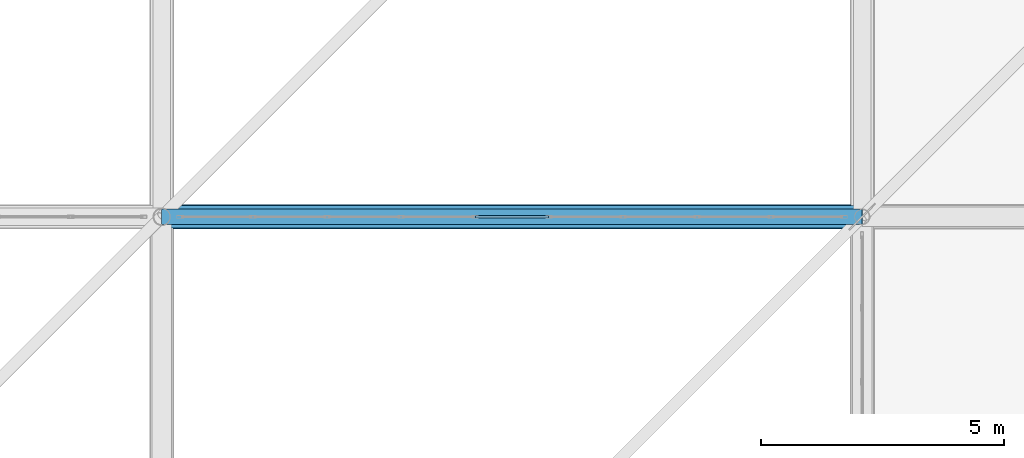
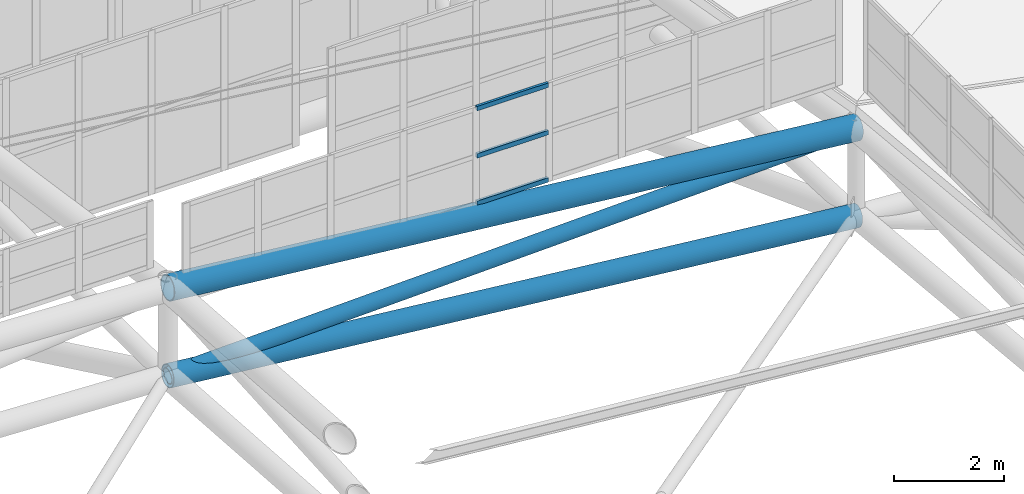
# One storey, part 312 of 397: 4 members, 2 beams, 1 element without a shape of its own.
"""IFC4 building model written with IfcOpenShell, lengths in metres."""

from ifc_helpers import new_model, si_unit, direction, frame, origin, origin_2d, place, context, subcontext, project, spatial, hollow_rectangle, hollow_circle, extrude, material, material_profile, profile_set, type_object, element, aggregate, save


model = new_model("IFC4")

# Units and contexts
model_context = context("Model", 3, precision=1e-05, world=origin(), true_north=direction((0.0, 1.0)))
body_context = subcontext(model_context, "Body", "Model", "MODEL_VIEW")
ifc_project = project(units=[si_unit("LENGTHUNIT", "METRE"), si_unit("AREAUNIT", "SQUARE_METRE"), si_unit("VOLUMEUNIT", "CUBIC_METRE"), si_unit("PLANEANGLEUNIT", "RADIAN"), si_unit("MASSUNIT", "GRAM", prefix="KILO")], contexts=[model_context])

# Site, building, storey
site_placement = place(None, origin())
site = spatial("IfcSite", under=ifc_project, at=site_placement, CompositionType="ELEMENT")
building_placement = place(site_placement, origin())
building = spatial("IfcBuilding", under=site, at=building_placement, Name="Qandorah Velis Arena", CompositionType="ELEMENT")
storey_placement = place(building_placement, frame((0.0, 0.0, 27.5)))
storey = spatial("IfcBuildingStorey", under=building, at=storey_placement, Name="RF", CompositionType="ELEMENT", Elevation=27.5)

# Curtain wall, members
ifc_material_1 = material(Name="Solar-control low-E double glazing", Category="glass")
curtain_wall_type = type_object("IfcCurtainWallType", Name="ARC-CW-SYS01", PredefinedType="USERDEFINED", material=ifc_material_1)
curtain_wall_placement = place(storey_placement, origin())
curtain_wall = element("IfcCurtainWall", 1, at=curtain_wall_placement, inside=storey, type_object=curtain_wall_type, Name="Unitised curtain wall OCULUS-4-5", ObjectType="UNITISED CURTAIN WALL", PredefinedType="USERDEFINED")
ifc_material_2 = material(Name="Champagne-bronze anodized aluminium 6063-T6", Category="aluminium")
ifc_material_profile_1 = material_profile(ifc_material_2, hollow_rectangle(XDim=0.054931640625, YDim=0.10009765625, WallThickness=0.0029296875, at=origin_2d()), Name="ALU TRANSOM 55x100")
ifc_profile_set_1 = profile_set([ifc_material_profile_1], Name="Champagne-bronze anodized aluminium 6063-T6")
member_type_1 = type_object("IfcMemberType", Name="ARC-CWT-100", PredefinedType="USERDEFINED", material=ifc_profile_set_1)
member_1_placement = place(storey_placement, frame((92.8544921875, 100.800048828125, 8.57763671875), z_axis=(1.0, 0.0, 0.0), x_axis=(0.0, 1.0, 0.0)))
member_1 = element("IfcMember", 2, at=member_1_placement, type_object=member_type_1, Name="CW01 transom 5.1", ObjectType="TRANSOM", PredefinedType="USERDEFINED", context=body_context, shape_type="SweptSolid", body=[
    extrude(hollow_rectangle(XDim=0.054931640625, YDim=0.10009765625, WallThickness=0.0029296875, at=origin_2d()), origin(), (0.0, 0.0, 1.0), 1.4912109375),
])
member_2_placement = place(storey_placement, frame((92.8544921875, 100.800048828125, 9.625244140625), z_axis=(1.0, 0.0, 0.0), x_axis=(0.0, 1.0, 0.0)))
member_2 = element("IfcMember", 3, at=member_2_placement, type_object=member_type_1, Name="CW01 transom 5.2", ObjectType="TRANSOM", PredefinedType="USERDEFINED", context=body_context, shape_type="SweptSolid", body=[
    extrude(hollow_rectangle(XDim=0.054931640625, YDim=0.10009765625, WallThickness=0.0029296875, at=origin_2d()), origin(), (0.0, 0.0, 1.0), 1.4912109375),
])
member_3_placement = place(storey_placement, frame((92.8544921875, 100.800048828125, 10.672607421875), z_axis=(1.0, 0.0, 0.0), x_axis=(0.0, 1.0, 0.0)))
member_3 = element("IfcMember", 4, at=member_3_placement, type_object=member_type_1, Name="CW01 transom 5.3", ObjectType="TRANSOM", PredefinedType="USERDEFINED", context=body_context, shape_type="SweptSolid", body=[
    extrude(hollow_rectangle(XDim=0.054931640625, YDim=0.10009765625, WallThickness=0.0029296875, at=origin_2d()), origin(), (0.0, 0.0, 1.0), 1.4912109375),
])
aggregate(curtain_wall, [member_1, member_2, member_3])

# Beams
ifc_material_3 = material(Name="Steel S355", Category="steel")
ifc_material_profile_2 = material_profile(ifc_material_3, hollow_circle(Radius=0.228515625, WallThickness=0.01611328125, at=origin_2d()), Name="CHS 457x16")
ifc_profile_set_2 = profile_set([ifc_material_profile_2], Name="Steel S355")
beam_type_1 = type_object("IfcBeamType", Name="STR-SFC-CHS457X16", PredefinedType="USERDEFINED", material=ifc_profile_set_2)
beam_1_placement = place(storey_placement, frame((86.39990234375, 100.800048828125, 7.009521484375), z_axis=(0.994660142717, 0.0, -0.103204653433), x_axis=(0.0, 1.0, 0.0)))
element("IfcBeam", 5, at=beam_1_placement, inside=storey, type_object=beam_type_1, Name="Space frame roof truss bottom chord X 5.6", ObjectType="ROOF TRUSS", PredefinedType="USERDEFINED", context=body_context, shape_type="SweptSolid", body=[
    extrude(hollow_circle(Radius=0.228515625, WallThickness=0.01611328125, at=origin_2d()), origin(), (0.0, 0.0, 1.0), 14.4775390625),
])
ifc_material_profile_3 = material_profile(ifc_material_3, hollow_circle(Radius=0.25390625, WallThickness=0.02001953125, at=origin_2d()), Name="CHS 508x20")
ifc_profile_set_3 = profile_set([ifc_material_profile_3], Name="Steel S355")
beam_type_2 = type_object("IfcBeamType", Name="STR-SFC-CHS508X20", PredefinedType="USERDEFINED", material=ifc_profile_set_3)
beam_2_placement = place(storey_placement, frame((86.39990234375, 100.800048828125, 8.95947265625), z_axis=(0.994660142717, 0.0, -0.103204653433), x_axis=(0.0, 1.0, 0.0)))
element("IfcBeam", 6, at=beam_2_placement, inside=storey, type_object=beam_type_2, Name="Space frame roof truss top chord X 5.6", ObjectType="ROOF TRUSS", PredefinedType="USERDEFINED", context=body_context, shape_type="SweptSolid", body=[
    extrude(hollow_circle(Radius=0.25390625, WallThickness=0.02001953125, at=origin_2d()), origin(), (0.0, 0.0, 1.0), 14.4775390625),
])

# Member
ifc_material_profile_4 = material_profile(ifc_material_3, hollow_circle(Radius=0.161865234375, WallThickness=0.012451171875, at=origin_2d()), Name="CHS 323.9x12.5")
ifc_profile_set_4 = profile_set([ifc_material_profile_4], Name="Steel S355")
member_type_2 = type_object("IfcMemberType", Name="STR-SFD-CHS323X12", PredefinedType="CHORD", material=ifc_profile_set_4)
member_4_placement = place(storey_placement, frame((86.39990234375, 100.800048828125, 7.009521484375), z_axis=(0.999499413969, 0.0, 0.031637343063), x_axis=(0.0, 1.0, 0.0)))
element("IfcMember", 7, at=member_4_placement, inside=storey, type_object=member_type_2, Name="Space frame roof diagonal X 5.6", PredefinedType="CHORD", context=body_context, shape_type="SweptSolid", body=[
    extrude(hollow_circle(Radius=0.161865234375, WallThickness=0.012451171875, at=origin_2d()), origin(), (0.0, 0.0, 1.0), 14.407470703125),
])

save(model, "model.ifc")
